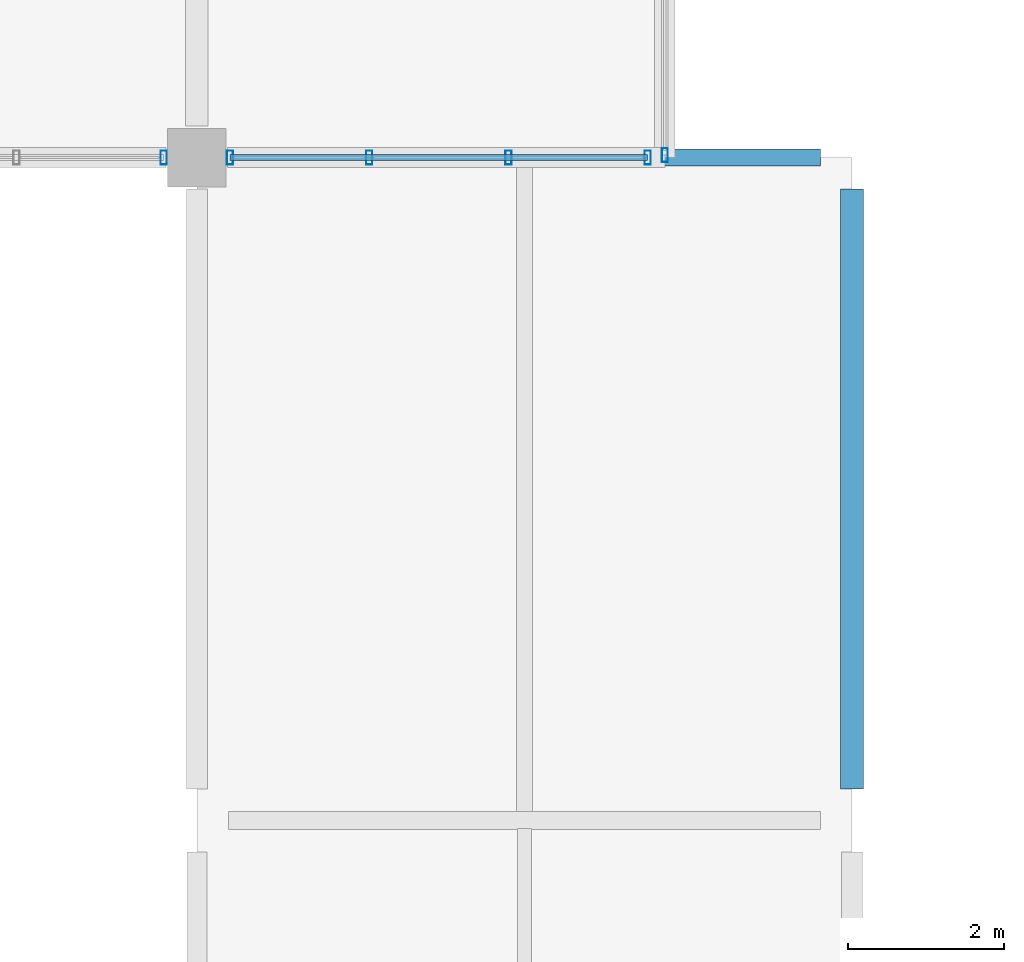
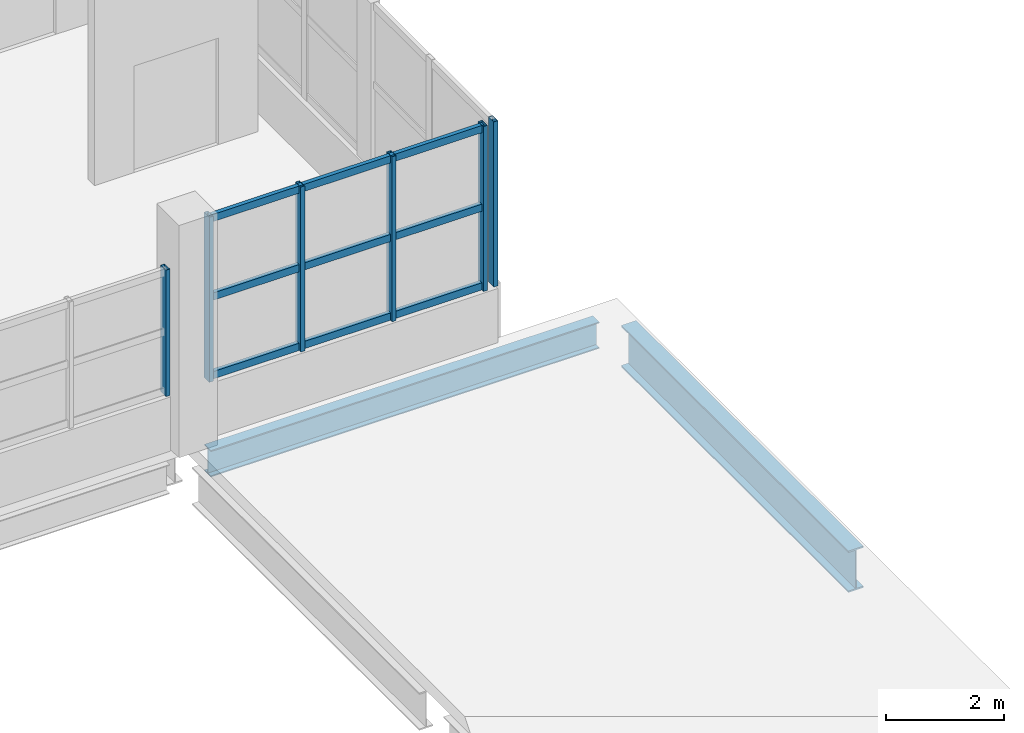
# One storey, part 46 of 117: 9 members, 2 beams, 3 elements without a shape of their own.
"""IFC4 building model written with IfcOpenShell, lengths in metres."""

from ifc_helpers import new_model, si_unit, direction, frame, origin, origin_2d, place, context, subcontext, project, spatial, hollow_rectangle, i_section, extrude, material, material_profile, profile_set, type_object, element, aggregate, save


model = new_model("IFC4")

# Units and contexts
model_context = context("Model", 3, precision=1e-05, world=origin(), true_north=direction((0.0, 1.0)))
body_context = subcontext(model_context, "Body", "Model", "MODEL_VIEW")
ifc_project = project(units=[si_unit("LENGTHUNIT", "METRE"), si_unit("AREAUNIT", "SQUARE_METRE"), si_unit("VOLUMEUNIT", "CUBIC_METRE"), si_unit("PLANEANGLEUNIT", "RADIAN"), si_unit("MASSUNIT", "GRAM", prefix="KILO")], contexts=[model_context])

# Site, building, storey
site_placement = place(None, origin())
site = spatial("IfcSite", under=ifc_project, at=site_placement, CompositionType="ELEMENT")
building_placement = place(site_placement, origin())
building = spatial("IfcBuilding", under=site, at=building_placement, Name="Solvento Point Concert Hall", CompositionType="ELEMENT")
storey_placement = place(building_placement, frame((0.0, 0.0, 5.39990234375)))
storey = spatial("IfcBuildingStorey", under=building, at=storey_placement, Name="L01", CompositionType="ELEMENT", Elevation=5.39990234375)

# Beams
ifc_material_1 = material(Name="Structural Steel ASTM A992 Grade 50", Category="steel")
ifc_material_profile_1 = material_profile(ifc_material_1, i_section(OverallWidth=0.214111328125, OverallDepth=0.549072265625, WebThickness=0.0146484375, FlangeThickness=0.023681640625, at=origin_2d()), Name="W21X93")
ifc_profile_set_1 = profile_set([ifc_material_profile_1], Name="Structural Steel ASTM A992 Grade 50")
beam_type_1 = type_object("IfcBeamType", Name="Beam_W21X93", PredefinedType="BEAM", material=ifc_profile_set_1)
beam_1_placement = place(storey_placement, frame((66.404052734375, 119.0, -0.558349609375), z_axis=(1.0, 0.0, 0.0), x_axis=(0.0, 1.0, 0.0)))
element("IfcBeam", 1, at=beam_1_placement, inside=storey, type_object=beam_type_1, Name="Primary girder B-48 L01", PredefinedType="BEAM", context=body_context, shape_type="SweptSolid", body=[
    extrude(i_section(OverallWidth=0.214111328125, OverallDepth=0.549072265625, WebThickness=0.0146484375, FlangeThickness=0.023681640625, at=origin_2d()), origin(), (0.0, 0.0, 1.0), 7.592041015625),
])
ifc_material_2 = material(Name="Structural Steel ASTM A992 Grade 50", Category="steel")
ifc_material_profile_2 = material_profile(ifc_material_2, i_section(OverallWidth=0.2919921875, OverallDepth=0.85888671875, WebThickness=0.01708984375, FlangeThickness=0.031005859375, at=origin_2d()), Name="W33X169")
ifc_profile_set_2 = profile_set([ifc_material_profile_2], Name="Structural Steel ASTM A992 Grade 50")
beam_type_2 = type_object("IfcBeamType", Name="Girder_W33X169", PredefinedType="USERDEFINED", material=ifc_profile_set_2)
beam_2_placement = place(storey_placement, frame((74.39990234375, 110.904052734375, -0.693359375), z_axis=(0.0, 1.0, 0.0), x_axis=(-1.0, 0.0, 0.0)))
element("IfcBeam", 2, at=beam_2_placement, inside=storey, type_object=beam_type_2, Name="Primary girder B-33 L01", ObjectType="GIRDER", PredefinedType="USERDEFINED", context=body_context, shape_type="SweptSolid", body=[
    extrude(i_section(OverallWidth=0.2919921875, OverallDepth=0.85888671875, WebThickness=0.01708984375, FlangeThickness=0.031005859375, at=origin_2d()), origin(), (0.0, 0.0, 1.0), 7.69189453125),
])

# Curtain wall, member
ifc_material_3 = material(Name="Anodized Bronze Aluminium", Category="aluminium")
curtain_wall_type = type_object("IfcCurtainWallType", Name="CurtainWall_CourtPilotis", PredefinedType="USERDEFINED", material=ifc_material_3)
curtain_wall_1_placement = place(storey_placement, origin())
curtain_wall_1 = element("IfcCurtainWall", 3, at=curtain_wall_1_placement, inside=storey, type_object=curtain_wall_type, Name="Unitised curtain wall CW-96 UCW-L01-132", ObjectType="UNITISED CURTAIN WALL", PredefinedType="USERDEFINED")
ifc_material_4 = material(Name="Anodized Bronze Aluminium", Category="aluminium")
ifc_material_profile_3 = material_profile(ifc_material_4, hollow_rectangle(XDim=0.080078125, YDim=0.179931640625, WallThickness=0.00390625, at=origin_2d()), Name="CW-MUL-80X180")
ifc_profile_set_3 = profile_set([ifc_material_profile_3], Name="Anodized Bronze Aluminium")
member_type_1 = type_object("IfcMemberType", Name="Mullion_80x180", PredefinedType="MULLION", material=ifc_profile_set_3)
member_1_placement = place(storey_placement, frame((72.0, 119.030029296875, 1.1201171875), z_axis=(0.0, 0.0, 1.0), x_axis=(1.0, 0.0, 0.0)))
member_1 = element("IfcMember", 4, at=member_1_placement, type_object=member_type_1, Name="Curtain wall mullion ML-01", PredefinedType="MULLION", context=body_context, shape_type="SweptSolid", body=[
    extrude(hollow_rectangle(XDim=0.080078125, YDim=0.179931640625, WallThickness=0.00390625, at=origin_2d()), origin(), (0.0, 0.0, 1.0), 3.409912109375),
])
aggregate(curtain_wall_1, [member_1])

curtain_wall_2_placement = place(storey_placement, origin())
curtain_wall_2 = element("IfcCurtainWall", 5, at=curtain_wall_2_placement, inside=storey, type_object=curtain_wall_type, Name="Unitised curtain wall CW-96 UCW-L01-138", ObjectType="UNITISED CURTAIN WALL", PredefinedType="USERDEFINED")
member_2_placement = place(storey_placement, frame((65.574951171875, 119.0, 1.1201171875), z_axis=(0.0, 0.0, 1.0), x_axis=(1.0, 0.0, 0.0)))
member_2 = element("IfcMember", 6, at=member_2_placement, type_object=member_type_1, Name="Curtain wall mullion ML-01", PredefinedType="MULLION", context=body_context, shape_type="SweptSolid", body=[
    extrude(hollow_rectangle(XDim=0.080078125, YDim=0.179931640625, WallThickness=0.00390625, at=origin_2d()), origin(), (0.0, 0.0, 1.0), 2.614013671875),
])
aggregate(curtain_wall_2, [member_2])

# Curtain wall, members
curtain_wall_3_placement = place(storey_placement, origin())
curtain_wall_3 = element("IfcCurtainWall", 7, at=curtain_wall_3_placement, inside=storey, type_object=curtain_wall_type, Name="Unitised curtain wall CW-96 UCW-L01-139", ObjectType="UNITISED CURTAIN WALL", PredefinedType="USERDEFINED")
member_3_placement = place(storey_placement, frame((66.425048828125, 119.0, 1.1201171875), z_axis=(0.0, 0.0, 1.0), x_axis=(1.0, 0.0, 0.0)))
member_3 = element("IfcMember", 8, at=member_3_placement, type_object=member_type_1, Name="Curtain wall mullion ML-01", PredefinedType="MULLION", context=body_context, shape_type="SweptSolid", body=[
    extrude(hollow_rectangle(XDim=0.080078125, YDim=0.179931640625, WallThickness=0.00390625, at=origin_2d()), origin(), (0.0, 0.0, 1.0), 3.409912109375),
])
member_4_placement = place(storey_placement, frame((68.2099609375, 119.0, 1.1201171875), z_axis=(0.0, 0.0, 1.0), x_axis=(1.0, 0.0, 0.0)))
member_4 = element("IfcMember", 9, at=member_4_placement, type_object=member_type_1, Name="Curtain wall mullion ML-01", PredefinedType="MULLION", context=body_context, shape_type="SweptSolid", body=[
    extrude(hollow_rectangle(XDim=0.080078125, YDim=0.179931640625, WallThickness=0.00390625, at=origin_2d()), origin(), (0.0, 0.0, 1.0), 3.409912109375),
])
member_5_placement = place(storey_placement, frame((69.9951171875, 119.0, 1.1201171875), z_axis=(0.0, 0.0, 1.0), x_axis=(1.0, 0.0, 0.0)))
member_5 = element("IfcMember", 10, at=member_5_placement, type_object=member_type_1, Name="Curtain wall mullion ML-01", PredefinedType="MULLION", context=body_context, shape_type="SweptSolid", body=[
    extrude(hollow_rectangle(XDim=0.080078125, YDim=0.179931640625, WallThickness=0.00390625, at=origin_2d()), origin(), (0.0, 0.0, 1.0), 3.409912109375),
])
member_6_placement = place(storey_placement, frame((71.780029296875, 119.0, 1.1201171875), z_axis=(0.0, 0.0, 1.0), x_axis=(1.0, 0.0, 0.0)))
member_6 = element("IfcMember", 11, at=member_6_placement, type_object=member_type_1, Name="Curtain wall mullion ML-01", PredefinedType="MULLION", context=body_context, shape_type="SweptSolid", body=[
    extrude(hollow_rectangle(XDim=0.080078125, YDim=0.179931640625, WallThickness=0.00390625, at=origin_2d()), origin(), (0.0, 0.0, 1.0), 3.409912109375),
])
ifc_material_5 = material(Name="Anodized Bronze Aluminium", Category="aluminium")
ifc_material_profile_4 = material_profile(ifc_material_5, hollow_rectangle(XDim=0.080078125, YDim=0.14990234375, WallThickness=0.00390625, at=origin_2d()), Name="CW-TRN-80X150")
ifc_profile_set_4 = profile_set([ifc_material_profile_4], Name="Anodized Bronze Aluminium")
member_type_2 = type_object("IfcMemberType", Name="Transom_80x150", PredefinedType="USERDEFINED", material=ifc_profile_set_4)
member_7_placement = place(storey_placement, frame((66.425048828125, 119.0, 1.2001953125), z_axis=(1.0, 0.0, 0.0), x_axis=(0.0, 1.0, 0.0)))
member_7 = element("IfcMember", 12, at=member_7_placement, type_object=member_type_2, Name="Curtain wall transom TR-01", ObjectType="TRANSOM", PredefinedType="USERDEFINED", context=body_context, shape_type="SweptSolid", body=[
    extrude(hollow_rectangle(XDim=0.080078125, YDim=0.14990234375, WallThickness=0.00390625, at=origin_2d()), origin(), (0.0, 0.0, 1.0), 5.35498046875),
])
member_8_placement = place(storey_placement, frame((66.425048828125, 119.0, 2.8251953125), z_axis=(1.0, 0.0, 0.0), x_axis=(0.0, 1.0, 0.0)))
member_8 = element("IfcMember", 13, at=member_8_placement, type_object=member_type_2, Name="Curtain wall transom TR-01", ObjectType="TRANSOM", PredefinedType="USERDEFINED", context=body_context, shape_type="SweptSolid", body=[
    extrude(hollow_rectangle(XDim=0.080078125, YDim=0.14990234375, WallThickness=0.00390625, at=origin_2d()), origin(), (0.0, 0.0, 1.0), 5.35498046875),
])
member_9_placement = place(storey_placement, frame((66.425048828125, 119.0, 4.4501953125), z_axis=(1.0, 0.0, 0.0), x_axis=(0.0, 1.0, 0.0)))
member_9 = element("IfcMember", 14, at=member_9_placement, type_object=member_type_2, Name="Curtain wall transom TR-01", ObjectType="TRANSOM", PredefinedType="USERDEFINED", context=body_context, shape_type="SweptSolid", body=[
    extrude(hollow_rectangle(XDim=0.080078125, YDim=0.14990234375, WallThickness=0.00390625, at=origin_2d()), origin(), (0.0, 0.0, 1.0), 5.35498046875),
])
aggregate(curtain_wall_3, [member_3, member_4, member_5, member_6, member_7, member_8, member_9])

save(model, "model.ifc")
